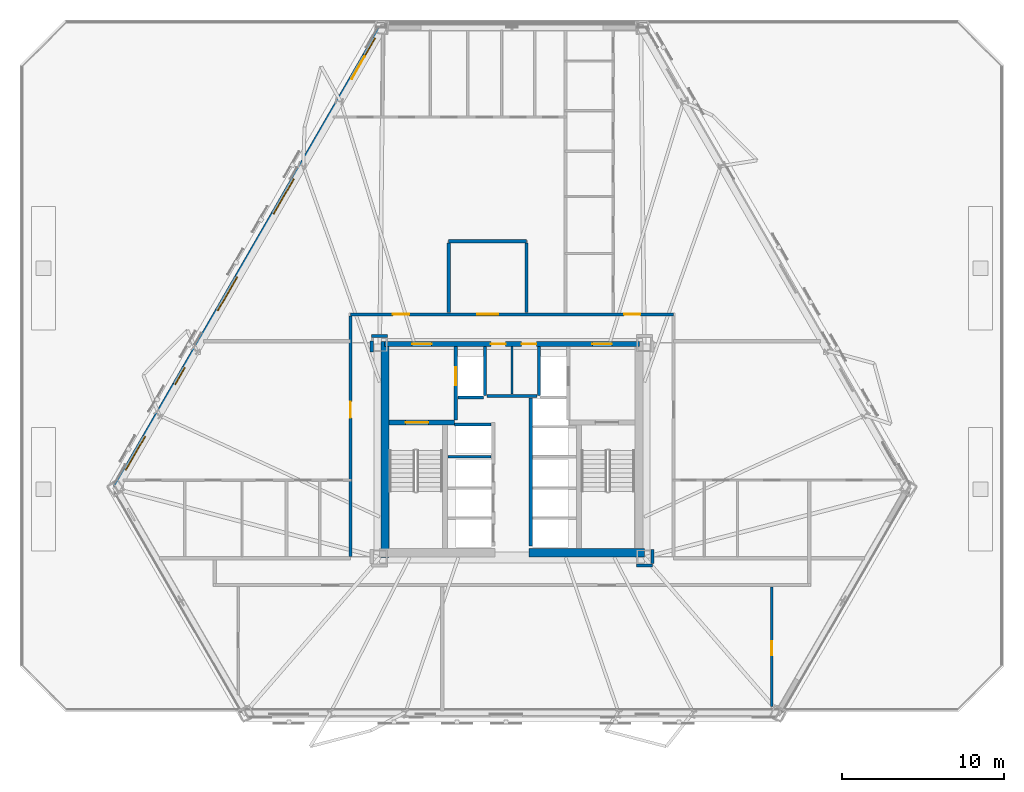
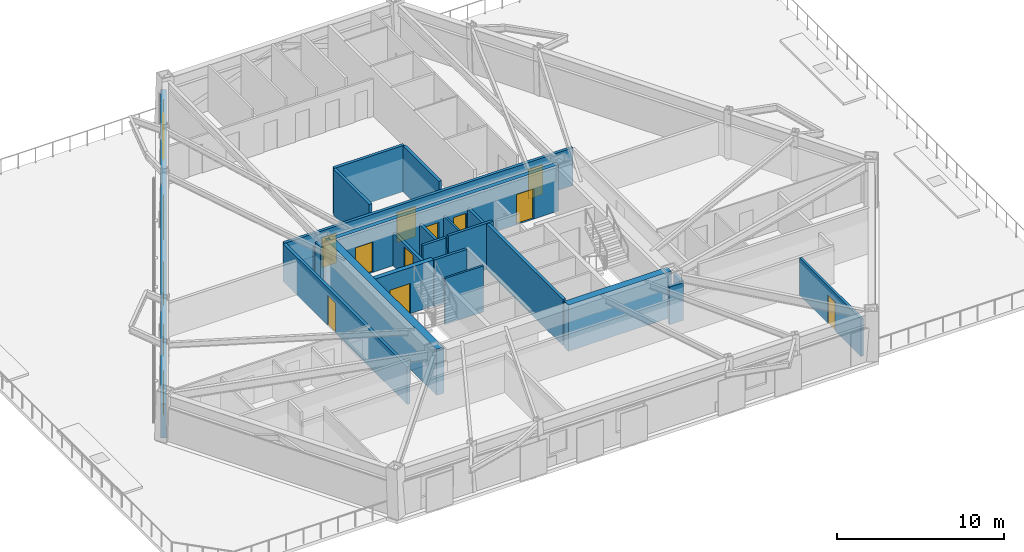
# One storey, part 4 of 14: 24 walls, 12 doors, 5 windows, 17 openings.
"""IFC4 building model written with IfcOpenShell, lengths in metres."""

from ifc_helpers import new_model, si_unit, direction, frame, frame_2d, origin, place, context, subcontext, project, spatial, rectangle, extrude, material, layer, layer_set, type_object, element, fill, save


model = new_model("IFC4")

# Units and contexts
model_context = context("Model", 3, precision=1e-05, world=origin(), true_north=direction((0.0, 1.0)))
body_context = subcontext(model_context, "Body", "Model", "MODEL_VIEW")
ifc_project = project(units=[si_unit("LENGTHUNIT", "METRE"), si_unit("AREAUNIT", "SQUARE_METRE"), si_unit("VOLUMEUNIT", "CUBIC_METRE"), si_unit("PLANEANGLEUNIT", "RADIAN"), si_unit("MASSUNIT", "GRAM", prefix="KILO")], contexts=[model_context])

# Site, building, storey
site_placement = place(None, origin())
site = spatial("IfcSite", under=ifc_project, at=site_placement, CompositionType="ELEMENT")
building_placement = place(site_placement, origin())
building = spatial("IfcBuilding", under=site, at=building_placement, Name="Oramaril Tower", CompositionType="ELEMENT")
storey_placement = place(building_placement, frame((0.0, 0.0, 27.300048828125)))
storey = spatial("IfcBuildingStorey", under=building, at=storey_placement, Name="L06", CompositionType="ELEMENT", Elevation=27.300048828125)

# Wall, openings, door, windows
ifc_material_1 = material(Name="Warm Cream Limestone", Category="masonry")
ifc_layer_1 = layer(ifc_material_1, 0.340087890625)
ifc_layer_set_1 = layer_set([ifc_layer_1], Name="WT-EXT34")
wall_type_1 = type_object("IfcWallType", Name="WT-EXT34", PredefinedType="SOLIDWALL", material=ifc_layer_set_1)
wall_1_placement = place(storey_placement, frame((29.451904296875, 43.639892578125, 0.0), z_axis=(0.0, 0.0, 1.0), x_axis=(-0.50000660679, -0.866021589319, 0.0)))
wall_1 = element("IfcWall", 1, at=wall_1_placement, inside=storey, type_object=wall_type_1, Name="L06 Tower Limestone Facade Wall 6M", PredefinedType="SOLIDWALL", context=body_context, shape_type="SweptSolid", body=[
    extrude(rectangle(XDim=32.72412109375, YDim=0.340087890625, at=frame_2d((16.362060546875, 0.0))), origin(), (0.0, 0.0, 1.0), 2.493896484375),
])
opening_1_placement = place(wall_1_placement, frame((2.050048828125, 0.0, 0.0)))
opening_1 = element("IfcOpeningElement", 2, at=opening_1_placement, cuts=wall_1, Name="Opening D-L06-T5", PredefinedType="OPENING", context=body_context, shape_type="SweptSolid", body=[
    extrude(rectangle(XDim=1.60009765625, YDim=2.199951171875, at=frame_2d((0.800048828125, 1.10009765625))), frame((0.0, 0.169921875, 0.0), z_axis=(0.0, -1.0, 0.0), x_axis=(1.0, 0.0, 0.0)), (0.0, 0.0, 1.0), 0.340087890625),
])
opening_2_placement = place(wall_1_placement, frame((24.189697265625, 0.0, 0.85009765625)))
opening_2 = element("IfcOpeningElement", 3, at=opening_2_placement, cuts=wall_1, Name="Opening WN-09", PredefinedType="OPENING", context=body_context, shape_type="SweptSolid", body=[
    extrude(rectangle(XDim=1.199951171875, YDim=1.47998046875, at=frame_2d((0.60009765625, 0.739990234375))), frame((0.0, 0.169921875, 0.0), z_axis=(0.0, -1.0, 0.0), x_axis=(1.0, 0.0, 0.0)), (0.0, 0.0, 1.0), 0.340087890625),
])
opening_3_placement = place(wall_1_placement, frame((29.0732421875, 0.0, 0.85009765625)))
opening_3 = element("IfcOpeningElement", 4, at=opening_3_placement, cuts=wall_1, Name="Opening WN-03", PredefinedType="OPENING", context=body_context, shape_type="SweptSolid", body=[
    extrude(rectangle(XDim=2.39990234375, YDim=1.533935546875, at=frame_2d((1.199951171875, 0.76708984375))), frame((0.0, 0.169921875, 0.0), z_axis=(0.0, -1.0, 0.0), x_axis=(1.0, 0.0, 0.0)), (0.0, 0.0, 1.0), 0.340087890625),
])
opening_4_placement = place(wall_1_placement, frame((10.76611328125, 0.0, 0.85009765625)))
opening_4 = element("IfcOpeningElement", 5, at=opening_4_placement, cuts=wall_1, Name="Opening WN-11", PredefinedType="OPENING", context=body_context, shape_type="SweptSolid", body=[
    extrude(rectangle(XDim=2.5, YDim=1.533935546875, at=frame_2d((1.25, 0.76708984375))), frame((0.0, 0.169921875, 0.0), z_axis=(0.0, -1.0, 0.0), x_axis=(1.0, 0.0, 0.0)), (0.0, 0.0, 1.0), 0.340087890625),
])
opening_5_placement = place(wall_1_placement, frame((17.740966796875, 0.0, 0.85009765625)))
opening_5 = element("IfcOpeningElement", 6, at=opening_5_placement, cuts=wall_1, Name="Opening WN-03", PredefinedType="OPENING", context=body_context, shape_type="SweptSolid", body=[
    extrude(rectangle(XDim=2.39990234375, YDim=1.533935546875, at=frame_2d((1.199951171875, 0.76708984375))), frame((0.0, 0.169921875, 0.0), z_axis=(0.0, -1.0, 0.0), x_axis=(1.0, 0.0, 0.0)), (0.0, 0.0, 1.0), 0.340087890625),
])
opening_6_placement = place(wall_1_placement, frame((0.759033203125, 0.0, 0.85009765625)))
opening_6 = element("IfcOpeningElement", 7, at=opening_6_placement, cuts=wall_1, Name="Opening WN-09", PredefinedType="OPENING", context=body_context, shape_type="SweptSolid", body=[
    extrude(rectangle(XDim=1.199951171875, YDim=1.47998046875, at=frame_2d((0.60009765625, 0.739990234375))), frame((0.0, 0.169921875, 0.0), z_axis=(0.0, -1.0, 0.0), x_axis=(1.0, 0.0, 0.0)), (0.0, 0.0, 1.0), 0.340087890625),
])
ifc_material_2 = material(Name="Anodised Aluminium 6063-T6", Category="aluminium")
door_type_1 = type_object("IfcDoorType", Name="DT-TER", OperationType="NOTDEFINED", PredefinedType="DOOR", material=ifc_material_2)
door_1_placement = place(opening_1_placement, origin())
door_1 = element("IfcDoor", 8, at=door_1_placement, inside=storey, type_object=door_type_1, Name="L06 Podium Roof Terrace Access Door", OperationType="SINGLE_SWING_RIGHT", OverallHeight=2.199951171875, OverallWidth=1.60009765625, PredefinedType="DOOR", context=body_context, shape_type="SweptSolid", body=[
    extrude(rectangle(XDim=1.60009765625, YDim=2.199951171875, at=frame_2d((0.800048828125, 1.10009765625))), frame((0.0, 0.02490234375, 0.0), z_axis=(0.0, -1.0, 0.0), x_axis=(1.0, 0.0, 0.0)), (0.0, 0.0, 1.0), 0.050048828125),
])
fill(opening_1, door_1)
ifc_material_3 = material(Name="Coastal Low-E Insulated Glass", Category="glass")
window_type_1 = type_object("IfcWindowType", Name="WNT-03", PartitioningType="SINGLE_PANEL", PredefinedType="WINDOW", material=ifc_material_3)
window_1_placement = place(opening_3_placement, origin())
window_1 = element("IfcWindow", 9, at=window_1_placement, inside=storey, type_object=window_type_1, Name="L06 Chicago Bay Window WN-03", OverallHeight=1.533935546875, OverallWidth=2.39990234375, PartitioningType="SINGLE_PANEL", PredefinedType="WINDOW", context=body_context, shape_type="SweptSolid", body=[
    extrude(rectangle(XDim=2.39990234375, YDim=1.533935546875, at=frame_2d((1.199951171875, 0.76708984375))), frame((0.0, 0.030029296875, 0.0), z_axis=(0.0, -1.0, 0.0), x_axis=(1.0, 0.0, 0.0)), (0.0, 0.0, 1.0), 0.06005859375),
])
fill(opening_3, window_1)
window_2_placement = place(opening_5_placement, origin())
window_2 = element("IfcWindow", 10, at=window_2_placement, inside=storey, type_object=window_type_1, Name="L06 Chicago Bay Window WN-03", OverallHeight=1.533935546875, OverallWidth=2.39990234375, PartitioningType="SINGLE_PANEL", PredefinedType="WINDOW", context=body_context, shape_type="SweptSolid", body=[
    extrude(rectangle(XDim=2.39990234375, YDim=1.533935546875, at=frame_2d((1.199951171875, 0.76708984375))), frame((0.0, 0.030029296875, 0.0), z_axis=(0.0, -1.0, 0.0), x_axis=(1.0, 0.0, 0.0)), (0.0, 0.0, 1.0), 0.06005859375),
])
fill(opening_5, window_2)
ifc_material_4 = material(Name="Coastal Low-E Insulated Glass", Category="glass")
window_type_2 = type_object("IfcWindowType", Name="WNT-09", PartitioningType="SINGLE_PANEL", PredefinedType="WINDOW", material=ifc_material_4)
window_3_placement = place(opening_2_placement, origin())
window_3 = element("IfcWindow", 11, at=window_3_placement, inside=storey, type_object=window_type_2, Name="L06 Chicago Bay Window WN-09", OverallHeight=1.47998046875, OverallWidth=1.199951171875, PartitioningType="SINGLE_PANEL", PredefinedType="WINDOW", context=body_context, shape_type="SweptSolid", body=[
    extrude(rectangle(XDim=1.199951171875, YDim=1.47998046875, at=frame_2d((0.60009765625, 0.739990234375))), frame((0.0, 0.030029296875, 0.0), z_axis=(0.0, -1.0, 0.0), x_axis=(1.0, 0.0, 0.0)), (0.0, 0.0, 1.0), 0.06005859375),
])
fill(opening_2, window_3)
window_4_placement = place(opening_6_placement, origin())
window_4 = element("IfcWindow", 12, at=window_4_placement, inside=storey, type_object=window_type_2, Name="L06 Apartment Bedroom Window WN-09", OverallHeight=1.47998046875, OverallWidth=1.199951171875, PartitioningType="SINGLE_PANEL", PredefinedType="WINDOW", context=body_context, shape_type="SweptSolid", body=[
    extrude(rectangle(XDim=1.199951171875, YDim=1.47998046875, at=frame_2d((0.60009765625, 0.739990234375))), frame((0.0, 0.030029296875, 0.0), z_axis=(0.0, -1.0, 0.0), x_axis=(1.0, 0.0, 0.0)), (0.0, 0.0, 1.0), 0.06005859375),
])
fill(opening_6, window_4)
ifc_material_5 = material(Name="Coastal Low-E Insulated Glass", Category="glass")
window_type_3 = type_object("IfcWindowType", Name="WNT-11", PartitioningType="SINGLE_PANEL", PredefinedType="WINDOW", material=ifc_material_5)
window_5_placement = place(opening_4_placement, origin())
window_5 = element("IfcWindow", 13, at=window_5_placement, inside=storey, type_object=window_type_3, Name="L06 Chicago Bay Window WN-11", OverallHeight=1.533935546875, OverallWidth=2.5, PartitioningType="SINGLE_PANEL", PredefinedType="WINDOW", context=body_context, shape_type="SweptSolid", body=[
    extrude(rectangle(XDim=2.5, YDim=1.533935546875, at=frame_2d((1.25, 0.76708984375))), frame((0.0, 0.030029296875, 0.0), z_axis=(0.0, -1.0, 0.0), x_axis=(1.0, 0.0, 0.0)), (0.0, 0.0, 1.0), 0.06005859375),
])
fill(opening_4, window_5)

# Walls
ifc_material_6 = material(Name="Acoustic Gypsum Board Partition")
ifc_layer_2 = layer(ifc_material_6, 0.139892578125)
ifc_layer_set_2 = layer_set([ifc_layer_2], Name="WT-PT14")
wall_type_2 = type_object("IfcWallType", Name="WT-PT14", PredefinedType="PARTITIONING", material=ifc_layer_set_2)
wall_2_placement = place(storey_placement, frame((33.56005859375, 17.199951171875, 0.0), z_axis=(0.0, 0.0, 1.0), x_axis=(1.0, 0.0, 0.0)))
element("IfcWall", 14, at=wall_2_placement, inside=storey, type_object=wall_type_2, Name="L06 West Lift Divider", PredefinedType="PARTITIONING", context=body_context, shape_type="SweptSolid", body=[
    extrude(rectangle(XDim=2.659912109375, YDim=0.139892578125, at=frame_2d((1.330078125, 0.0))), origin(), (0.0, 0.0, 1.0), 3.35986328125),
])
wall_3_placement = place(storey_placement, frame((37.5, 21.06005859375, 0.0), z_axis=(0.0, 0.0, 1.0), x_axis=(0.0, 1.0, 0.0)))
element("IfcWall", 15, at=wall_3_placement, inside=storey, type_object=wall_type_2, Name="L06 Core Service Divider", PredefinedType="PARTITIONING", context=body_context, shape_type="SweptSolid", body=[
    extrude(rectangle(XDim=2.919921875, YDim=0.139892578125, at=frame_2d((1.4599609375, 0.0))), origin(), (0.0, 0.0, 1.0), 2.39990234375),
])

# Wall, opening, door
ifc_material_7 = material(Name="Acoustic Gypsum Board Partition")
ifc_layer_3 = layer(ifc_material_7, 0.159912109375)
ifc_layer_set_3 = layer_set([ifc_layer_3], Name="WT-PT16")
wall_type_3 = type_object("IfcWallType", Name="WT-PT16", PredefinedType="PARTITIONING", material=ifc_layer_set_3)
wall_4_placement = place(storey_placement, frame((53.5, 1.827880859375, 0.0), z_axis=(0.0, 0.0, 1.0), x_axis=(0.0, 1.0, 0.0)))
wall_4 = element("IfcWall", 16, at=wall_4_placement, inside=storey, type_object=wall_type_3, Name="L06 Interior Partition PT-16", PredefinedType="PARTITIONING", context=body_context, shape_type="SweptSolid", body=[
    extrude(rectangle(XDim=7.3681640625, YDim=0.159912109375, at=frame_2d((3.68408203125, 0.0))), origin(), (0.0, 0.0, 1.0), 2.738037109375),
])
opening_7_placement = place(wall_4_placement, frame((3.13720703125, 0.0, 0.0)))
opening_7 = element("IfcOpeningElement", 17, at=opening_7_placement, cuts=wall_4, Name="Opening D-L06-30", PredefinedType="OPENING", context=body_context, shape_type="SweptSolid", body=[
    extrude(rectangle(XDim=0.8798828125, YDim=2.080078125, at=frame_2d((0.43994140625, 1.0400390625))), frame((0.0, 0.080078125, 0.0), z_axis=(0.0, -1.0, 0.0), x_axis=(1.0, 0.0, 0.0)), (0.0, 0.0, 1.0), 0.159912109375),
])
ifc_material_8 = material(Name="FSC Brazilian Freijo Hardwood", Category="wood")
door_type_2 = type_object("IfcDoorType", Name="DT-BATH", OperationType="NOTDEFINED", PredefinedType="DOOR", material=ifc_material_8)
door_2_placement = place(opening_7_placement, origin())
door_2 = element("IfcDoor", 18, at=door_2_placement, inside=storey, type_object=door_type_2, Name="L06 Flat L06-U2 Bathroom Door D-L06-30", OperationType="SINGLE_SWING_RIGHT", OverallHeight=2.080078125, OverallWidth=0.8798828125, PredefinedType="DOOR", context=body_context, shape_type="SweptSolid", body=[
    extrude(rectangle(XDim=0.8798828125, YDim=2.080078125, at=frame_2d((0.43994140625, 1.0400390625))), frame((0.0, 0.02490234375, 0.0), z_axis=(0.0, -1.0, 0.0), x_axis=(1.0, 0.0, 0.0)), (0.0, 0.0, 1.0), 0.050048828125),
])
fill(opening_7, door_2)

# Walls
ifc_material_9 = material(Name="Autoclaved Cellular Concrete Block", Category="concrete")
ifc_layer_4 = layer(ifc_material_9, 0.179931640625)
ifc_layer_set_4 = layer_set([ifc_layer_4], Name="WT-PT18")
wall_type_4 = type_object("IfcWallType", Name="WT-PT18", PredefinedType="PARTITIONING", material=ifc_layer_set_4)
wall_5_placement = place(storey_placement, frame((35.840087890625, 20.9599609375, 0.0), z_axis=(0.0, 0.0, 1.0), x_axis=(0.0, 1.0, 0.0)))
element("IfcWall", 19, at=wall_5_placement, inside=storey, type_object=wall_type_4, Name="L06 FL-1 East Shaft Wall", PredefinedType="PARTITIONING", context=body_context, shape_type="SweptSolid", body=[
    extrude(rectangle(XDim=3.02001953125, YDim=0.179931640625, at=frame_2d((1.510009765625, 0.0))), origin(), (0.0, 0.0, 1.0), 2.39990234375),
])
wall_6_placement = place(storey_placement, frame((34.159912109375, 20.860107421875, 0.0), z_axis=(0.0, 0.0, 1.0), x_axis=(1.0, 0.0, 0.0)))
element("IfcWall", 20, at=wall_6_placement, inside=storey, type_object=wall_type_4, Name="L06 FL-1 South Shaft Wall", PredefinedType="PARTITIONING", context=body_context, shape_type="SweptSolid", body=[
    extrude(rectangle(XDim=1.580078125, YDim=0.179931640625, at=frame_2d((0.7900390625, 0.0))), origin(), (0.0, 0.0, 1.0), 3.35986328125),
])
wall_7_placement = place(storey_placement, frame((39.159912109375, 20.9599609375, 0.0), z_axis=(0.0, 0.0, 1.0), x_axis=(0.0, 1.0, 0.0)))
element("IfcWall", 21, at=wall_7_placement, inside=storey, type_object=wall_type_4, Name="L06 FL-2 West Shaft Wall", PredefinedType="PARTITIONING", context=body_context, shape_type="SweptSolid", body=[
    extrude(rectangle(XDim=3.02001953125, YDim=0.179931640625, at=frame_2d((1.510009765625, 0.0))), origin(), (0.0, 0.0, 1.0), 2.39990234375),
])
wall_8_placement = place(storey_placement, frame((33.949951171875, 19.199951171875, 0.0), z_axis=(0.0, 0.0, 1.0), x_axis=(1.0, 0.0, 0.0)))
element("IfcWall", 22, at=wall_8_placement, inside=storey, type_object=wall_type_4, Name="L06 High-Rise Lift H1 North Shaft Wall", PredefinedType="PARTITIONING", context=body_context, shape_type="SweptSolid", body=[
    extrude(rectangle(XDim=2.27001953125, YDim=0.179931640625, at=frame_2d((1.135009765625, 0.0))), origin(), (0.0, 0.0, 1.0), 3.35986328125),
])
wall_9_placement = place(storey_placement, frame((35.949951171875, 20.949951171875, 0.0), z_axis=(0.0, 0.0, 1.0), x_axis=(1.0, 0.0, 0.0)))
element("IfcWall", 23, at=wall_9_placement, inside=storey, type_object=wall_type_4, Name="L06 Lift Lobby North Partition", PredefinedType="PARTITIONING", context=body_context, shape_type="SweptSolid", body=[
    extrude(rectangle(XDim=3.10009765625, YDim=0.179931640625, at=frame_2d((1.550048828125, 0.0))), origin(), (0.0, 0.0, 1.0), 3.35986328125),
])
ifc_material_10 = material(Name="Autoclaved Cellular Concrete Block", Category="concrete")
ifc_layer_5 = layer(ifc_material_10, 0.199951171875)
ifc_layer_set_5 = layer_set([ifc_layer_5], Name="WT-PT20")
wall_type_5 = type_object("IfcWallType", Name="WT-PT20", PredefinedType="PARTITIONING", material=ifc_layer_set_5)
wall_10_placement = place(storey_placement, frame((45.159912109375, 10.510009765625, 0.0), z_axis=(0.0, 0.0, 1.0), x_axis=(1.0, 0.0, 0.0)))
element("IfcWall", 24, at=wall_10_placement, inside=storey, type_object=wall_type_5, Name="L06 Interior Partition PT-20", PredefinedType="PARTITIONING", context=body_context, shape_type="SweptSolid", body=[
    extrude(rectangle(XDim=0.97998046875, YDim=0.199951171875, at=frame_2d((0.489990234375, 0.0))), origin(), (0.0, 0.0, 1.0), 2.738037109375),
])
wall_11_placement = place(storey_placement, frame((28.85498046875, 24.639892578125, 0.0), z_axis=(0.0, 0.0, 1.0), x_axis=(1.0, 0.0, 0.0)))
element("IfcWall", 25, at=wall_11_placement, inside=storey, type_object=wall_type_5, Name="L06 Interior Partition PT-20", PredefinedType="PARTITIONING", context=body_context, shape_type="SweptSolid", body=[
    extrude(rectangle(XDim=0.989990234375, YDim=0.199951171875, at=frame_2d((0.4951171875, 0.0))), origin(), (0.0, 0.0, 1.0), 2.738037109375),
])

# Wall, openings, doors
wall_12_placement = place(storey_placement, frame((27.550048828125, 25.969970703125, 0.0), z_axis=(0.0, 0.0, 1.0), x_axis=(1.0, 0.0, 0.0)))
wall_12 = element("IfcWall", 26, at=wall_12_placement, inside=storey, type_object=wall_type_5, Name="L06 Interior Partition PT-20", PredefinedType="PARTITIONING", context=body_context, shape_type="SweptSolid", body=[
    extrude(rectangle(XDim=19.89990234375, YDim=0.199951171875, at=frame_2d((9.949951171875, 0.0))), origin(), (0.0, 0.0, 1.0), 2.738037109375),
])
opening_8_placement = place(wall_12_placement, frame((2.618896484375, 0.0, 0.0)))
opening_8 = element("IfcOpeningElement", 27, at=opening_8_placement, cuts=wall_12, Name="Opening D-L06-12", PredefinedType="OPENING", context=body_context, shape_type="SweptSolid", body=[
    extrude(rectangle(XDim=1.0, YDim=2.179931640625, at=frame_2d((0.5, 1.08984375))), frame((0.0, 0.10009765625, 0.0), z_axis=(0.0, -1.0, 0.0), x_axis=(1.0, 0.0, 0.0)), (0.0, 0.0, 1.0), 0.199951171875),
])
opening_9_placement = place(wall_12_placement, frame((7.800048828125, 0.0, 0.0)))
opening_9 = element("IfcOpeningElement", 28, at=opening_9_placement, cuts=wall_12, Name="Opening D-L06-13", PredefinedType="OPENING", context=body_context, shape_type="SweptSolid", body=[
    extrude(rectangle(XDim=1.300048828125, YDim=2.199951171875, at=frame_2d((0.64990234375, 1.10009765625))), frame((0.0, 0.10009765625, 0.0), z_axis=(0.0, -1.0, 0.0), x_axis=(1.0, 0.0, 0.0)), (0.0, 0.0, 1.0), 0.199951171875),
])
opening_10_placement = place(wall_12_placement, frame((16.862060546875, 0.0, 0.0)))
opening_10 = element("IfcOpeningElement", 29, at=opening_10_placement, cuts=wall_12, Name="Opening D-L06-14", PredefinedType="OPENING", context=body_context, shape_type="SweptSolid", body=[
    extrude(rectangle(XDim=1.0, YDim=2.179931640625, at=frame_2d((0.5, 1.08984375))), frame((0.0, 0.10009765625, 0.0), z_axis=(0.0, -1.0, 0.0), x_axis=(1.0, 0.0, 0.0)), (0.0, 0.0, 1.0), 0.199951171875),
])
ifc_material_11 = material(Name="FSC Brazilian Freijo Hardwood", Category="wood")
door_type_3 = type_object("IfcDoorType", Name="DT-APT", OperationType="NOTDEFINED", PredefinedType="DOOR", material=ifc_material_11)
door_3_placement = place(opening_8_placement, origin())
door_3 = element("IfcDoor", 30, at=door_3_placement, inside=storey, type_object=door_type_3, Name="L06 Flat L06-U5 Penthouse 2-Bedroom Living and Dining Room Door D-L06-12", OperationType="SINGLE_SWING_RIGHT", OverallHeight=2.179931640625, OverallWidth=1.0, PredefinedType="DOOR", context=body_context, shape_type="SweptSolid", body=[
    extrude(rectangle(XDim=1.0, YDim=2.179931640625, at=frame_2d((0.5, 1.08984375))), frame((0.0, 0.02490234375, 0.0), z_axis=(0.0, -1.0, 0.0), x_axis=(1.0, 0.0, 0.0)), (0.0, 0.0, 1.0), 0.050048828125),
])
fill(opening_8, door_3)
door_4_placement = place(opening_10_placement, origin())
door_4 = element("IfcDoor", 31, at=door_4_placement, inside=storey, type_object=door_type_3, Name="L06 Flat L06-U6 Penthouse 2-Bedroom Living and Dining Room Door D-L06-14", OperationType="SINGLE_SWING_RIGHT", OverallHeight=2.179931640625, OverallWidth=1.0, PredefinedType="DOOR", context=body_context, shape_type="SweptSolid", body=[
    extrude(rectangle(XDim=1.0, YDim=2.179931640625, at=frame_2d((0.5, 1.08984375))), frame((0.0, 0.02490234375, 0.0), z_axis=(0.0, -1.0, 0.0), x_axis=(1.0, 0.0, 0.0)), (0.0, 0.0, 1.0), 0.050048828125),
])
fill(opening_10, door_4)
ifc_material_12 = material(Name="FSC Brazilian Freijo Hardwood", Category="wood")
door_type_4 = type_object("IfcDoorType", Name="DT-COM", OperationType="NOTDEFINED", PredefinedType="DOOR", material=ifc_material_12)
door_5_placement = place(opening_9_placement, origin())
door_5 = element("IfcDoor", 32, at=door_5_placement, inside=storey, type_object=door_type_4, Name="L06 L06 Floor Co-Working Office Suite Door D-L06-13", OperationType="SINGLE_SWING_LEFT", OverallHeight=2.199951171875, OverallWidth=1.300048828125, PredefinedType="DOOR", context=body_context, shape_type="SweptSolid", body=[
    extrude(rectangle(XDim=1.300048828125, YDim=2.199951171875, at=frame_2d((0.64990234375, 1.10009765625))), frame((0.0, 0.02490234375, 0.0), z_axis=(0.0, -1.0, 0.0), x_axis=(1.0, 0.0, 0.0)), (0.0, 0.0, 1.0), 0.050048828125),
])
fill(opening_9, door_5)

# Wall
wall_13_placement = place(storey_placement, frame((33.60009765625, 30.469970703125, 0.0), z_axis=(0.0, 0.0, 1.0), x_axis=(1.0, 0.0, 0.0)))
element("IfcWall", 33, at=wall_13_placement, inside=storey, type_object=wall_type_5, Name="L06 Interior Partition PT-20", PredefinedType="PARTITIONING", context=body_context, shape_type="SweptSolid", body=[
    extrude(rectangle(XDim=4.7998046875, YDim=0.199951171875, at=frame_2d((2.39990234375, 0.0))), origin(), (0.0, 0.0, 1.0), 3.35986328125),
])

# Wall, opening, door
wall_14_placement = place(storey_placement, frame((27.550048828125, 11.053955078125, 0.0), z_axis=(0.0, 0.0, 1.0), x_axis=(0.0, 1.0, 0.0)))
wall_14 = element("IfcWall", 34, at=wall_14_placement, inside=storey, type_object=wall_type_5, Name="L06 Interior Partition PT-20", PredefinedType="PARTITIONING", context=body_context, shape_type="SweptSolid", body=[
    extrude(rectangle(XDim=14.81201171875, YDim=0.199951171875, at=frame_2d((7.406005859375, 0.0))), origin(), (0.0, 0.0, 1.0), 2.738037109375),
])
opening_11_placement = place(wall_14_placement, frame((8.541259765625, 0.0, 0.0)))
opening_11 = element("IfcOpeningElement", 35, at=opening_11_placement, cuts=wall_14, Name="Opening D-L06-22", PredefinedType="OPENING", context=body_context, shape_type="SweptSolid", body=[
    extrude(rectangle(XDim=1.0, YDim=2.179931640625, at=frame_2d((0.5, 1.08984375))), frame((0.0, 0.10009765625, 0.0), z_axis=(0.0, -1.0, 0.0), x_axis=(1.0, 0.0, 0.0)), (0.0, 0.0, 1.0), 0.199951171875),
])
door_6_placement = place(opening_11_placement, origin())
door_6 = element("IfcDoor", 36, at=door_6_placement, inside=storey, type_object=door_type_3, Name="L06 Flat L06-U3 Penthouse 2-Bedroom Living and Dining Room Door D-L06-22", OperationType="SINGLE_SWING_RIGHT", OverallHeight=2.179931640625, OverallWidth=1.0, PredefinedType="DOOR", context=body_context, shape_type="SweptSolid", body=[
    extrude(rectangle(XDim=1.0, YDim=2.179931640625, at=frame_2d((0.5, 1.08984375))), frame((0.0, 0.02490234375, 0.0), z_axis=(0.0, -1.0, 0.0), x_axis=(1.0, 0.0, 0.0)), (0.0, 0.0, 1.0), 0.050048828125),
])
fill(opening_11, door_6)

# Walls
wall_15_placement = place(storey_placement, frame((28.860107421875, 23.655029296875, 0.0), z_axis=(0.0, 0.0, 1.0), x_axis=(0.0, 1.0, 0.0)))
element("IfcWall", 37, at=wall_15_placement, inside=storey, type_object=wall_type_5, Name="L06 Interior Partition PT-20", PredefinedType="PARTITIONING", context=body_context, shape_type="SweptSolid", body=[
    extrude(rectangle(XDim=0.6650390625, YDim=0.199951171875, at=frame_2d((0.33251953125, 0.0))), origin(), (0.0, 0.0, 1.0), 3.35986328125),
])
for number, where, z_axis, x_axis, name in (
    (38, (33.60009765625, 26.073974609375, 0.0), (0.0, 0.0, 1.0), (0.0, 1.0, 0.0), "L06 Interior Partition PT-20"),
    (39, (38.39990234375, 26.073974609375, 0.0), (0.0, 0.0, 1.0), (0.0, 1.0, 0.0), "L06 Interior Partition PT-20"),
):
    element("IfcWall", number, at=place(storey_placement, frame(where, z_axis=z_axis, x_axis=x_axis)), inside=storey, type_object=wall_type_5, Name=name, PredefinedType="PARTITIONING", context=body_context, shape_type="SweptSolid", body=[
        extrude(rectangle(XDim=4.2919921875, YDim=0.199951171875, at=frame_2d((2.14599609375, 0.0))), origin(), (0.0, 0.0, 1.0), 3.35986328125),
    ])
wall_16_placement = place(storey_placement, frame((46.14990234375, 10.614013671875, 0.0), z_axis=(0.0, 0.0, 1.0), x_axis=(0.0, 1.0, 0.0)))
element("IfcWall", 40, at=wall_16_placement, inside=storey, type_object=wall_type_5, Name="L06 Interior Partition PT-20", PredefinedType="PARTITIONING", context=body_context, shape_type="SweptSolid", body=[
    extrude(rectangle(XDim=0.881103515625, YDim=0.199951171875, at=frame_2d((0.4404296875, 0.0))), origin(), (0.0, 0.0, 1.0), 2.738037109375),
])

# Wall, openings, doors
ifc_material_13 = material(Name="Concrete C50/60", Category="concrete")
ifc_layer_6 = layer(ifc_material_13, 0.300048828125)
ifc_layer_set_6 = layer_set([ifc_layer_6], Name="WT-SH30")
wall_type_6 = type_object("IfcWallType", Name="WT-SH30", PredefinedType="SHEAR", material=ifc_layer_set_6)
wall_17_placement = place(storey_placement, frame((29.64990234375, 24.14990234375, 0.0), z_axis=(0.0, 0.0, 1.0), x_axis=(1.0, 0.0, 0.0)))
wall_17 = element("IfcWall", 41, at=wall_17_placement, inside=storey, type_object=wall_type_6, Name="L06 Core Shear Wall CW-N", PredefinedType="SHEAR", context=body_context, shape_type="SweptSolid", body=[
    extrude(rectangle(XDim=15.7001953125, YDim=0.300048828125, at=frame_2d((7.85009765625, 0.0))), origin(), (0.0, 0.0, 1.0), 3.35986328125),
])
opening_12_placement = place(wall_17_placement, frame((1.699951171875, 0.0, 0.0)))
opening_12 = element("IfcOpeningElement", 42, at=opening_12_placement, cuts=wall_17, Name="Opening D-L06-FFL1", PredefinedType="OPENING", context=body_context, shape_type="SweptSolid", body=[
    extrude(rectangle(XDim=1.199951171875, YDim=2.199951171875, at=frame_2d((0.60009765625, 1.10009765625))), frame((0.0, 0.14990234375, 0.0), z_axis=(0.0, -1.0, 0.0), x_axis=(1.0, 0.0, 0.0)), (0.0, 0.0, 1.0), 0.300048828125),
])
opening_13_placement = place(wall_17_placement, frame((12.800048828125, 0.0, 0.0)))
opening_13 = element("IfcOpeningElement", 43, at=opening_13_placement, cuts=wall_17, Name="Opening D-L06-FFL2", PredefinedType="OPENING", context=body_context, shape_type="SweptSolid", body=[
    extrude(rectangle(XDim=1.199951171875, YDim=2.199951171875, at=frame_2d((0.60009765625, 1.10009765625))), frame((0.0, 0.14990234375, 0.0), z_axis=(0.0, -1.0, 0.0), x_axis=(1.0, 0.0, 0.0)), (0.0, 0.0, 1.0), 0.300048828125),
])
opening_14_placement = place(wall_17_placement, frame((6.550048828125, 0.0, 0.0)))
opening_14 = element("IfcOpeningElement", 44, at=opening_14_placement, cuts=wall_17, Name="Opening D-L06-SV1", PredefinedType="OPENING", context=body_context, shape_type="SweptSolid", body=[
    extrude(rectangle(XDim=0.89990234375, YDim=2.050048828125, at=frame_2d((0.449951171875, 1.02490234375))), frame((0.0, 0.14990234375, 0.0), z_axis=(0.0, -1.0, 0.0), x_axis=(1.0, 0.0, 0.0)), (0.0, 0.0, 1.0), 0.300048828125),
])
opening_15_placement = place(wall_17_placement, frame((8.449951171875, 0.0, 0.0)))
opening_15 = element("IfcOpeningElement", 45, at=opening_15_placement, cuts=wall_17, Name="Opening D-L06-SV2", PredefinedType="OPENING", context=body_context, shape_type="SweptSolid", body=[
    extrude(rectangle(XDim=0.89990234375, YDim=2.050048828125, at=frame_2d((0.449951171875, 1.02490234375))), frame((0.0, 0.14990234375, 0.0), z_axis=(0.0, -1.0, 0.0), x_axis=(1.0, 0.0, 0.0)), (0.0, 0.0, 1.0), 0.300048828125),
])
ifc_material_14 = material(Name="Painted Galvanised Steel", Category="steel")
door_type_5 = type_object("IfcDoorType", Name="DT-FFL", OperationType="NOTDEFINED", PredefinedType="DOOR", material=ifc_material_14)
door_7_placement = place(opening_12_placement, origin())
door_7 = element("IfcDoor", 46, at=door_7_placement, inside=storey, type_object=door_type_5, Name="L06 Firefighting Lobby 1 Fire Door", OperationType="SINGLE_SWING_LEFT", OverallHeight=2.199951171875, OverallWidth=1.199951171875, PredefinedType="DOOR", context=body_context, shape_type="SweptSolid", body=[
    extrude(rectangle(XDim=1.199951171875, YDim=2.199951171875, at=frame_2d((0.60009765625, 1.10009765625))), frame((0.0, 0.02490234375, 0.0), z_axis=(0.0, -1.0, 0.0), x_axis=(1.0, 0.0, 0.0)), (0.0, 0.0, 1.0), 0.050048828125),
])
fill(opening_12, door_7)
door_8_placement = place(opening_13_placement, origin())
door_8 = element("IfcDoor", 47, at=door_8_placement, inside=storey, type_object=door_type_5, Name="L06 Firefighting Lobby 2 Fire Door", OperationType="SINGLE_SWING_RIGHT", OverallHeight=2.199951171875, OverallWidth=1.199951171875, PredefinedType="DOOR", context=body_context, shape_type="SweptSolid", body=[
    extrude(rectangle(XDim=1.199951171875, YDim=2.199951171875, at=frame_2d((0.60009765625, 1.10009765625))), frame((0.0, 0.02490234375, 0.0), z_axis=(0.0, -1.0, 0.0), x_axis=(1.0, 0.0, 0.0)), (0.0, 0.0, 1.0), 0.050048828125),
])
fill(opening_13, door_8)
ifc_material_15 = material(Name="Painted Galvanised Steel", Category="steel")
door_type_6 = type_object("IfcDoorType", Name="DT-SVC", OperationType="NOTDEFINED", PredefinedType="DOOR", material=ifc_material_15)
door_9_placement = place(opening_14_placement, origin())
door_9 = element("IfcDoor", 48, at=door_9_placement, inside=storey, type_object=door_type_6, Name="L06 Core Service Store 1 Door", OperationType="SINGLE_SWING_LEFT", OverallHeight=2.050048828125, OverallWidth=0.89990234375, PredefinedType="DOOR", context=body_context, shape_type="SweptSolid", body=[
    extrude(rectangle(XDim=0.89990234375, YDim=2.050048828125, at=frame_2d((0.449951171875, 1.02490234375))), frame((0.0, 0.02490234375, 0.0), z_axis=(0.0, -1.0, 0.0), x_axis=(1.0, 0.0, 0.0)), (0.0, 0.0, 1.0), 0.050048828125),
])
fill(opening_14, door_9)
door_10_placement = place(opening_15_placement, origin())
door_10 = element("IfcDoor", 49, at=door_10_placement, inside=storey, type_object=door_type_6, Name="L06 Core Service Store 2 Door", OperationType="SINGLE_SWING_RIGHT", OverallHeight=2.050048828125, OverallWidth=0.89990234375, PredefinedType="DOOR", context=body_context, shape_type="SweptSolid", body=[
    extrude(rectangle(XDim=0.89990234375, YDim=2.050048828125, at=frame_2d((0.449951171875, 1.02490234375))), frame((0.0, 0.02490234375, 0.0), z_axis=(0.0, -1.0, 0.0), x_axis=(1.0, 0.0, 0.0)), (0.0, 0.0, 1.0), 0.050048828125),
])
fill(opening_15, door_10)

# Wall, opening, door
wall_18_placement = place(storey_placement, frame((29.93994140625, 19.31005859375, 0.0), z_axis=(0.0, 0.0, 1.0), x_axis=(1.0, 0.0, 0.0)))
wall_18 = element("IfcWall", 50, at=wall_18_placement, inside=storey, type_object=wall_type_6, Name="L06 Core Shear Wall CW-ST1N", PredefinedType="SHEAR", context=body_context, shape_type="SweptSolid", body=[
    extrude(rectangle(XDim=4.010009765625, YDim=0.300048828125, at=frame_2d((2.0048828125, 0.0))), origin(), (0.0, 0.0, 1.0), 3.35986328125),
])
opening_16_placement = place(wall_18_placement, frame((1.010009765625, 0.0, 0.0)))
opening_16 = element("IfcOpeningElement", 51, at=opening_16_placement, cuts=wall_18, Name="Opening D-L06-ST1", PredefinedType="OPENING", context=body_context, shape_type="SweptSolid", body=[
    extrude(rectangle(XDim=1.39990234375, YDim=2.199951171875, at=frame_2d((0.699951171875, 1.10009765625))), frame((0.0, 0.14990234375, 0.0), z_axis=(0.0, -1.0, 0.0), x_axis=(1.0, 0.0, 0.0)), (0.0, 0.0, 1.0), 0.300048828125),
])
ifc_material_16 = material(Name="Painted Galvanised Steel", Category="steel")
door_type_7 = type_object("IfcDoorType", Name="DT-ST", OperationType="NOTDEFINED", PredefinedType="DOOR", material=ifc_material_16)
door_11_placement = place(opening_16_placement, origin())
door_11 = element("IfcDoor", 52, at=door_11_placement, inside=storey, type_object=door_type_7, Name="L06 Protected Stair ST-1 Fire Door", OperationType="SINGLE_SWING_LEFT", OverallHeight=2.199951171875, OverallWidth=1.39990234375, PredefinedType="DOOR", context=body_context, shape_type="SweptSolid", body=[
    extrude(rectangle(XDim=1.39990234375, YDim=2.199951171875, at=frame_2d((0.699951171875, 1.10009765625))), frame((0.0, 0.02490234375, 0.0), z_axis=(0.0, -1.0, 0.0), x_axis=(1.0, 0.0, 0.0)), (0.0, 0.0, 1.0), 0.050048828125),
])
fill(opening_16, door_11)

# Walls
ifc_material_17 = material(Name="Concrete C50/60", Category="concrete")
ifc_layer_7 = layer(ifc_material_17, 0.5)
ifc_layer_set_7 = layer_set([ifc_layer_7], Name="WT-SH50")
wall_type_7 = type_object("IfcWallType", Name="WT-SH50", PredefinedType="SHEAR", material=ifc_layer_set_7)
wall_19_placement = place(storey_placement, frame((29.68994140625, 11.0, 0.0), z_axis=(0.0, 0.0, 1.0), x_axis=(0.0, 1.0, 0.0)))
element("IfcWall", 53, at=wall_19_placement, inside=storey, type_object=wall_type_7, Name="L06 Core Shear Wall CW-W", PredefinedType="SHEAR", context=body_context, shape_type="SweptSolid", body=[
    extrude(rectangle(XDim=13.300048828125, YDim=0.5, at=frame_2d((6.64990234375, 0.0))), origin(), (0.0, 0.0, 1.0), 3.35986328125),
])
wall_20_placement = place(storey_placement, frame((38.550048828125, 11.2900390625, 0.0), z_axis=(0.0, 0.0, 1.0), x_axis=(1.0, 0.0, 0.0)))
element("IfcWall", 54, at=wall_20_placement, inside=storey, type_object=wall_type_7, Name="L06 Core Shear Wall CW-SE", PredefinedType="SHEAR", context=body_context, shape_type="SweptSolid", body=[
    extrude(rectangle(XDim=7.099853515625, YDim=0.5, at=frame_2d((3.5498046875, 0.0))), origin(), (0.0, 0.0, 1.0), 3.35986328125),
])

# Wall, opening, door
ifc_material_18 = material(Name="Autoclaved Cellular Concrete Block", Category="concrete")
ifc_layer_8 = layer(ifc_material_18, 0.199951171875)
ifc_layer_set_8 = layer_set([ifc_layer_8], Name="WT-SHF20")
wall_type_8 = type_object("IfcWallType", Name="WT-SHF20", PredefinedType="PARTITIONING", material=ifc_layer_set_8)
wall_21_placement = place(storey_placement, frame((34.0400390625, 19.47998046875, 0.0), z_axis=(0.0, 0.0, 1.0), x_axis=(0.0, 1.0, 0.0)))
wall_21 = element("IfcWall", 55, at=wall_21_placement, inside=storey, type_object=wall_type_8, Name="L06 FL-1 Lobby Shaft Wall", PredefinedType="PARTITIONING", context=body_context, shape_type="SweptSolid", body=[
    extrude(rectangle(XDim=4.5, YDim=0.199951171875, at=frame_2d((2.25, 0.0))), origin(), (0.0, 0.0, 1.0), 2.39990234375),
])
opening_17_placement = place(wall_21_placement, frame((2.1201171875, 0.0, 0.0)))
opening_17 = element("IfcOpeningElement", 56, at=opening_17_placement, cuts=wall_21, Name="Opening LD-L06-FL-1", PredefinedType="OPENING", context=body_context, shape_type="SweptSolid", body=[
    extrude(rectangle(XDim=1.10009765625, YDim=2.199951171875, at=frame_2d((0.550048828125, 1.10009765625))), frame((0.0, 0.10009765625, 0.0), z_axis=(0.0, -1.0, 0.0), x_axis=(1.0, 0.0, 0.0)), (0.0, 0.0, 1.0), 0.199951171875),
])
ifc_material_19 = material(Name="Stainless Steel 316L", Category="steel")
door_type_8 = type_object("IfcDoorType", Name="DT-LD1", OperationType="NOTDEFINED", PredefinedType="DOOR", material=ifc_material_19)
door_12_placement = place(opening_17_placement, origin())
door_12 = element("IfcDoor", 57, at=door_12_placement, inside=storey, type_object=door_type_8, Name="L06 Lift FL-1 Sliding Landing Door", OperationType="SLIDING_TO_LEFT", OverallHeight=2.199951171875, OverallWidth=1.10009765625, PredefinedType="DOOR", context=body_context, shape_type="SweptSolid", body=[
    extrude(rectangle(XDim=1.10009765625, YDim=2.199951171875, at=frame_2d((0.550048828125, 1.10009765625))), frame((0.0, 0.02490234375, 0.0), z_axis=(0.0, -1.0, 0.0), x_axis=(1.0, 0.0, 0.0)), (0.0, 0.0, 1.0), 0.050048828125),
])
fill(opening_17, door_12)

# Wall
wall_22_placement = place(storey_placement, frame((38.659912109375, 11.719970703125, 0.0), z_axis=(0.0, 0.0, 1.0), x_axis=(0.0, 1.0, 0.0)))
element("IfcWall", 58, at=wall_22_placement, inside=storey, type_object=wall_type_8, Name="L06 East Lift Bank Front Wall", PredefinedType="PARTITIONING", context=body_context, shape_type="SweptSolid", body=[
    extrude(rectangle(XDim=9.10009765625, YDim=0.199951171875, at=frame_2d((4.550048828125, 0.0))), origin(), (0.0, 0.0, 1.0), 3.35986328125),
])

save(model, "model.ifc")
